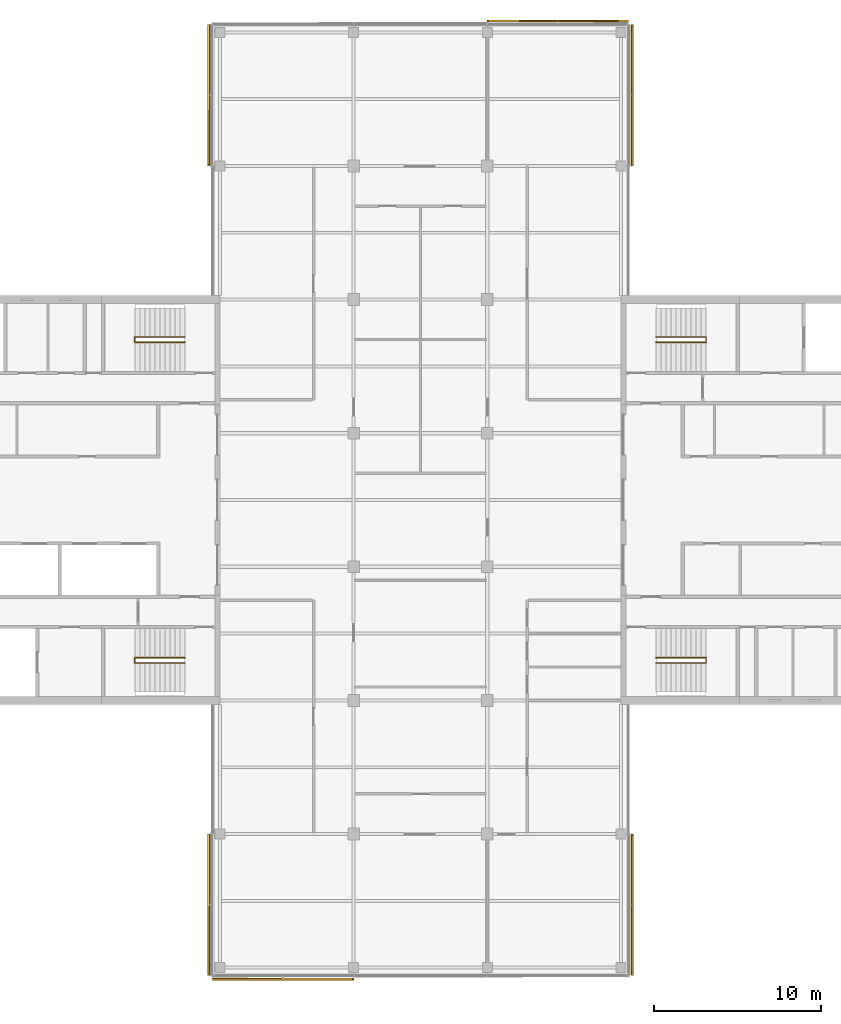
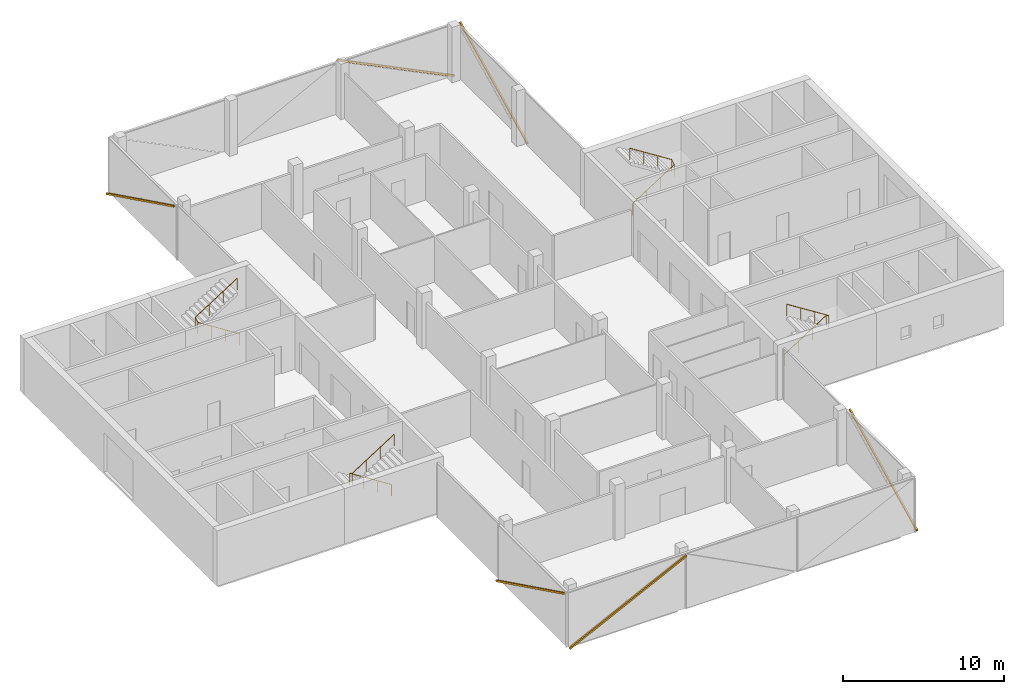
# One storey, part 15 of 15: 6 shading devices, 4 railings, 6 elements without a shape of their own.
"""IFC4 building model written with IfcOpenShell, lengths in metres."""

from ifc_helpers import new_model, si_unit, direction, frame, origin, origin_2d, place, context, subcontext, project, spatial, rectangle, circle, extrude, material, material_profile, profile_set, type_object, element, aggregate, save


model = new_model("IFC4")

# Units and contexts
model_context = context("Model", 3, precision=1e-05, world=origin(), true_north=direction((0.0, 1.0)))
body_context = subcontext(model_context, "Body", "Model", "MODEL_VIEW")
ifc_project = project(units=[si_unit("LENGTHUNIT", "METRE"), si_unit("AREAUNIT", "SQUARE_METRE"), si_unit("VOLUMEUNIT", "CUBIC_METRE"), si_unit("PLANEANGLEUNIT", "RADIAN"), si_unit("MASSUNIT", "GRAM", prefix="KILO")], contexts=[model_context])

# Site, building, storey
site_placement = place(None, origin())
site = spatial("IfcSite", under=ifc_project, at=site_placement, CompositionType="ELEMENT")
building_placement = place(site_placement, origin())
building = spatial("IfcBuilding", under=site, at=building_placement, Name="Crosswind Convention Tower", CompositionType="ELEMENT")
storey_placement = place(building_placement, frame((0.0, 0.0, 266.10009765625)))
storey = spatial("IfcBuildingStorey", under=building, at=storey_placement, Name="L57", CompositionType="ELEMENT", Elevation=266.10009765625)

# Railings
ifc_material_1 = material(Name="Stainless steel", Category="steel")
railing_type = type_object("IfcRailingType", Name="Stair handrail 900", PredefinedType="HANDRAIL", material=ifc_material_1)
railing_1_placement = place(storey_placement, frame((139.10009765625, 109.43994140625, 0.19091796875)))
element("IfcRailing", 1, at=railing_1_placement, inside=storey, type_object=railing_type, Name="Stair ST1 handrail L57", PredefinedType="HANDRAIL", context=body_context, shape_type="SweptSolid", body=[
    extrude(circle(Radius=0.02392578125, at=origin_2d()), frame((0.0, 0.0, 0.8759765625), z_axis=(0.843681277094, 0.0, 0.536844393359), x_axis=(0.0, 1.0, 0.0)), (0.0, 0.0, 1.0), 3.555908203125),
    extrude(circle(Radius=0.02392578125, at=origin_2d()), frame((3.0, 0.0, 2.78466796875), z_axis=(0.0, 0.858819504967, 0.512278301208), x_axis=(-1.0, 0.0, 0.0)), (0.0, 0.0, 1.0), 0.372802734375),
    extrude(circle(Radius=0.02392578125, at=origin_2d()), frame((3.0, 0.320068359375, 2.9755859375), z_axis=(-0.843650179428, 0.0, 0.536893261973), x_axis=(0.0, -1.0, 0.0)), (0.0, 0.0, 1.0), 3.555908203125),
    extrude(circle(Radius=0.02099609375, at=origin_2d()), origin(), (0.0, 0.0, 1.0), 0.851806640625),
    extrude(circle(Radius=0.02099609375, at=origin_2d()), frame((1.0, 0.0, 0.63623046875)), (0.0, 0.0, 1.0), 0.851806640625),
    extrude(circle(Radius=0.02099609375, at=origin_2d()), frame((2.0, 0.0, 1.272705078125)), (0.0, 0.0, 1.0), 0.851806640625),
    extrude(circle(Radius=0.02099609375, at=origin_2d()), frame((3.0, 0.0, 1.908935546875)), (0.0, 0.0, 1.0), 0.851806640625),
    extrude(circle(Radius=0.02099609375, at=origin_2d()), frame((3.0, 0.320068359375, 2.099853515625)), (0.0, 0.0, 1.0), 0.851806640625),
    extrude(circle(Radius=0.02099609375, at=origin_2d()), frame((2.0, 0.320068359375, 2.736328125)), (0.0, 0.0, 1.0), 0.851806640625),
    extrude(circle(Radius=0.02099609375, at=origin_2d()), frame((1.0, 0.320068359375, 3.37255859375)), (0.0, 0.0, 1.0), 0.851806640625),
    extrude(circle(Radius=0.02099609375, at=origin_2d()), frame((0.0, 0.320068359375, 4.009033203125)), (0.0, 0.0, 1.0), 0.851806640625),
])
railing_2_placement = place(storey_placement, frame((139.10009765625, 90.56005859375, 0.19091796875)))
element("IfcRailing", 2, at=railing_2_placement, inside=storey, type_object=railing_type, Name="Stair ST2 handrail L57", PredefinedType="HANDRAIL", context=body_context, shape_type="SweptSolid", body=[
    extrude(circle(Radius=0.02392578125, at=origin_2d()), frame((0.0, 0.0, 0.8759765625), z_axis=(0.843681277094, 0.0, 0.536844393359), x_axis=(0.0, 1.0, 0.0)), (0.0, 0.0, 1.0), 3.555908203125),
    extrude(circle(Radius=0.02392578125, at=origin_2d()), frame((3.0, 0.0, 2.78466796875), z_axis=(0.0, -0.858819504967, 0.512278301208), x_axis=(1.0, 0.0, 0.0)), (0.0, 0.0, 1.0), 0.372802734375),
    extrude(circle(Radius=0.02392578125, at=origin_2d()), frame((3.0, -0.320068359375, 2.9755859375), z_axis=(-0.843650179428, 0.0, 0.536893261973), x_axis=(0.0, -1.0, 0.0)), (0.0, 0.0, 1.0), 3.555908203125),
    extrude(circle(Radius=0.02099609375, at=origin_2d()), origin(), (0.0, 0.0, 1.0), 0.851806640625),
    extrude(circle(Radius=0.02099609375, at=origin_2d()), frame((1.0, 0.0, 0.63623046875)), (0.0, 0.0, 1.0), 0.851806640625),
    extrude(circle(Radius=0.02099609375, at=origin_2d()), frame((2.0, 0.0, 1.272705078125)), (0.0, 0.0, 1.0), 0.851806640625),
    extrude(circle(Radius=0.02099609375, at=origin_2d()), frame((3.0, 0.0, 1.908935546875)), (0.0, 0.0, 1.0), 0.851806640625),
    extrude(circle(Radius=0.02099609375, at=origin_2d()), frame((3.0, -0.320068359375, 2.099853515625)), (0.0, 0.0, 1.0), 0.851806640625),
    extrude(circle(Radius=0.02099609375, at=origin_2d()), frame((2.0, -0.320068359375, 2.736328125)), (0.0, 0.0, 1.0), 0.851806640625),
    extrude(circle(Radius=0.02099609375, at=origin_2d()), frame((1.0, -0.320068359375, 3.37255859375)), (0.0, 0.0, 1.0), 0.851806640625),
    extrude(circle(Radius=0.02099609375, at=origin_2d()), frame((0.0, -0.320068359375, 4.009033203125)), (0.0, 0.0, 1.0), 0.851806640625),
])
railing_3_placement = place(storey_placement, frame((110.89990234375, 90.56005859375, 0.19091796875)))
element("IfcRailing", 3, at=railing_3_placement, inside=storey, type_object=railing_type, Name="Stair ST3 handrail L57", PredefinedType="HANDRAIL", context=body_context, shape_type="SweptSolid", body=[
    extrude(circle(Radius=0.02392578125, at=origin_2d()), frame((0.0, 0.0, 0.8759765625), z_axis=(-0.843681277094, 0.0, 0.536844393359), x_axis=(0.0, -1.0, 0.0)), (0.0, 0.0, 1.0), 3.555908203125),
    extrude(circle(Radius=0.02392578125, at=origin_2d()), frame((-3.0, 0.0, 2.78466796875), z_axis=(0.0, -0.858819504967, 0.512278301208), x_axis=(1.0, 0.0, 0.0)), (0.0, 0.0, 1.0), 0.372802734375),
    extrude(circle(Radius=0.02392578125, at=origin_2d()), frame((-3.0, -0.320068359375, 2.9755859375), z_axis=(0.843650179428, 0.0, 0.536893261973), x_axis=(0.0, 1.0, 0.0)), (0.0, 0.0, 1.0), 3.555908203125),
    extrude(circle(Radius=0.02099609375, at=origin_2d()), origin(), (0.0, 0.0, 1.0), 0.851806640625),
    extrude(circle(Radius=0.02099609375, at=origin_2d()), frame((-1.0, 0.0, 0.63623046875)), (0.0, 0.0, 1.0), 0.851806640625),
    extrude(circle(Radius=0.02099609375, at=origin_2d()), frame((-2.0, 0.0, 1.272705078125)), (0.0, 0.0, 1.0), 0.851806640625),
    extrude(circle(Radius=0.02099609375, at=origin_2d()), frame((-3.0, 0.0, 1.908935546875)), (0.0, 0.0, 1.0), 0.851806640625),
    extrude(circle(Radius=0.02099609375, at=origin_2d()), frame((-3.0, -0.320068359375, 2.099853515625)), (0.0, 0.0, 1.0), 0.851806640625),
    extrude(circle(Radius=0.02099609375, at=origin_2d()), frame((-2.0, -0.320068359375, 2.736328125)), (0.0, 0.0, 1.0), 0.851806640625),
    extrude(circle(Radius=0.02099609375, at=origin_2d()), frame((-1.0, -0.320068359375, 3.37255859375)), (0.0, 0.0, 1.0), 0.851806640625),
    extrude(circle(Radius=0.02099609375, at=origin_2d()), frame((0.0, -0.320068359375, 4.009033203125)), (0.0, 0.0, 1.0), 0.851806640625),
])
railing_4_placement = place(storey_placement, frame((110.89990234375, 109.43994140625, 0.19091796875)))
element("IfcRailing", 4, at=railing_4_placement, inside=storey, type_object=railing_type, Name="Stair ST4 handrail L57", PredefinedType="HANDRAIL", context=body_context, shape_type="SweptSolid", body=[
    extrude(circle(Radius=0.02392578125, at=origin_2d()), frame((0.0, 0.0, 0.8759765625), z_axis=(-0.843681277094, 0.0, 0.536844393359), x_axis=(0.0, -1.0, 0.0)), (0.0, 0.0, 1.0), 3.555908203125),
    extrude(circle(Radius=0.02392578125, at=origin_2d()), frame((-3.0, 0.0, 2.78466796875), z_axis=(0.0, 0.858819504967, 0.512278301208), x_axis=(-1.0, 0.0, 0.0)), (0.0, 0.0, 1.0), 0.372802734375),
    extrude(circle(Radius=0.02392578125, at=origin_2d()), frame((-3.0, 0.320068359375, 2.9755859375), z_axis=(0.843650179428, 0.0, 0.536893261973), x_axis=(0.0, 1.0, 0.0)), (0.0, 0.0, 1.0), 3.555908203125),
    extrude(circle(Radius=0.02099609375, at=origin_2d()), origin(), (0.0, 0.0, 1.0), 0.851806640625),
    extrude(circle(Radius=0.02099609375, at=origin_2d()), frame((-1.0, 0.0, 0.63623046875)), (0.0, 0.0, 1.0), 0.851806640625),
    extrude(circle(Radius=0.02099609375, at=origin_2d()), frame((-2.0, 0.0, 1.272705078125)), (0.0, 0.0, 1.0), 0.851806640625),
    extrude(circle(Radius=0.02099609375, at=origin_2d()), frame((-3.0, 0.0, 1.908935546875)), (0.0, 0.0, 1.0), 0.851806640625),
    extrude(circle(Radius=0.02099609375, at=origin_2d()), frame((-3.0, 0.320068359375, 2.099853515625)), (0.0, 0.0, 1.0), 0.851806640625),
    extrude(circle(Radius=0.02099609375, at=origin_2d()), frame((-2.0, 0.320068359375, 2.736328125)), (0.0, 0.0, 1.0), 0.851806640625),
    extrude(circle(Radius=0.02099609375, at=origin_2d()), frame((-1.0, 0.320068359375, 3.37255859375)), (0.0, 0.0, 1.0), 0.851806640625),
    extrude(circle(Radius=0.02099609375, at=origin_2d()), frame((0.0, 0.320068359375, 4.009033203125)), (0.0, 0.0, 1.0), 0.851806640625),
])

# Curtain wall, shading device
ifc_material_2 = material(Name="Aluminium unitised curtain wall", Category="aluminium")
curtain_wall_type = type_object("IfcCurtainWallType", Name="OFFICE UNITISED WALL 220", PredefinedType="USERDEFINED", material=ifc_material_2)
curtain_wall_1_placement = place(storey_placement, origin())
curtain_wall_1 = element("IfcCurtainWall", 5, at=curtain_wall_1_placement, inside=storey, type_object=curtain_wall_type, Name="CW3 L57 N-E 1", ObjectType="UNITISED", PredefinedType="USERDEFINED")
ifc_material_3 = material(Name="Extruded terracotta", Category="masonry")
ifc_material_profile = material_profile(ifc_material_3, rectangle(XDim=0.110107421875, YDim=0.1298828125, at=origin_2d()), Name="TC 110X130")
ifc_profile_set = profile_set([ifc_material_profile], Name="Extruded terracotta")
shading_device_type = type_object("IfcShadingDeviceType", Name="TERRACOTTA BAGUETTE 130X110", PredefinedType="USERDEFINED", material=ifc_profile_set)
shading_device_1_placement = place(storey_placement, frame((137.680908203125, 120.034912109375, -0.300048828125), z_axis=(0.0, 0.897198049762, 0.441628417907), x_axis=(-1.0, 0.0, 0.0)))
shading_device_1 = element("IfcShadingDevice", 6, at=shading_device_1_placement, type_object=shading_device_type, Name="CW3 terracotta baguette 1", ObjectType="BAGUETTE", PredefinedType="USERDEFINED", context=body_context, shape_type="SweptSolid", body=[
    extrude(rectangle(XDim=0.110107421875, YDim=0.1298828125, at=origin_2d()), origin(), (0.0, 0.0, 1.0), 9.3515625),
])
aggregate(curtain_wall_1, [shading_device_1])

curtain_wall_2_placement = place(storey_placement, origin())
curtain_wall_2 = element("IfcCurtainWall", 7, at=curtain_wall_2_placement, inside=storey, type_object=curtain_wall_type, Name="CW3 L57 N-TIP 1", ObjectType="UNITISED", PredefinedType="USERDEFINED")
shading_device_2_placement = place(storey_placement, frame((137.425048828125, 128.680908203125, -0.300048828125), z_axis=(-0.897198049762, 0.0, 0.441628417907), x_axis=(0.0, -1.0, 0.0)))
shading_device_2 = element("IfcShadingDevice", 8, at=shading_device_2_placement, type_object=shading_device_type, Name="CW3 terracotta baguette 1", ObjectType="BAGUETTE", PredefinedType="USERDEFINED", context=body_context, shape_type="SweptSolid", body=[
    extrude(rectangle(XDim=0.110107421875, YDim=0.1298828125, at=origin_2d()), origin(), (0.0, 0.0, 1.0), 9.3515625),
])
aggregate(curtain_wall_2, [shading_device_2])

curtain_wall_3_placement = place(storey_placement, origin())
curtain_wall_3 = element("IfcCurtainWall", 9, at=curtain_wall_3_placement, inside=storey, type_object=curtain_wall_type, Name="CW3 L57 N-W 1", ObjectType="UNITISED", PredefinedType="USERDEFINED")
shading_device_3_placement = place(storey_placement, frame((112.319091796875, 128.425048828125, -0.300048828125), z_axis=(0.0, -0.897198049762, 0.441628417907), x_axis=(1.0, 0.0, 0.0)))
shading_device_3 = element("IfcShadingDevice", 10, at=shading_device_3_placement, type_object=shading_device_type, Name="CW3 terracotta baguette 1", ObjectType="BAGUETTE", PredefinedType="USERDEFINED", context=body_context, shape_type="SweptSolid", body=[
    extrude(rectangle(XDim=0.110107421875, YDim=0.1298828125, at=origin_2d()), origin(), (0.0, 0.0, 1.0), 9.3515625),
])
aggregate(curtain_wall_3, [shading_device_3])

curtain_wall_4_placement = place(storey_placement, origin())
curtain_wall_4 = element("IfcCurtainWall", 11, at=curtain_wall_4_placement, inside=storey, type_object=curtain_wall_type, Name="CW3 L57 S-W 1", ObjectType="UNITISED", PredefinedType="USERDEFINED")
shading_device_4_placement = place(storey_placement, frame((112.319091796875, 79.965087890625, -0.300048828125), z_axis=(0.0, -0.897198049762, 0.441628417907), x_axis=(1.0, 0.0, 0.0)))
shading_device_4 = element("IfcShadingDevice", 12, at=shading_device_4_placement, type_object=shading_device_type, Name="CW3 terracotta baguette 1", ObjectType="BAGUETTE", PredefinedType="USERDEFINED", context=body_context, shape_type="SweptSolid", body=[
    extrude(rectangle(XDim=0.110107421875, YDim=0.1298828125, at=origin_2d()), origin(), (0.0, 0.0, 1.0), 9.3515625),
])
aggregate(curtain_wall_4, [shading_device_4])

curtain_wall_5_placement = place(storey_placement, origin())
curtain_wall_5 = element("IfcCurtainWall", 13, at=curtain_wall_5_placement, inside=storey, type_object=curtain_wall_type, Name="CW3 L57 S-TIP 1", ObjectType="UNITISED", PredefinedType="USERDEFINED")
shading_device_5_placement = place(storey_placement, frame((112.574951171875, 71.319091796875, -0.300048828125), z_axis=(0.897198049762, 0.0, 0.441628417907), x_axis=(0.0, 1.0, 0.0)))
shading_device_5 = element("IfcShadingDevice", 14, at=shading_device_5_placement, type_object=shading_device_type, Name="CW3 terracotta baguette 1", ObjectType="BAGUETTE", PredefinedType="USERDEFINED", context=body_context, shape_type="SweptSolid", body=[
    extrude(rectangle(XDim=0.110107421875, YDim=0.1298828125, at=origin_2d()), origin(), (0.0, 0.0, 1.0), 9.3515625),
])
aggregate(curtain_wall_5, [shading_device_5])

curtain_wall_6_placement = place(storey_placement, origin())
curtain_wall_6 = element("IfcCurtainWall", 15, at=curtain_wall_6_placement, inside=storey, type_object=curtain_wall_type, Name="CW3 L57 S-E 1", ObjectType="UNITISED", PredefinedType="USERDEFINED")
shading_device_6_placement = place(storey_placement, frame((137.680908203125, 71.574951171875, -0.300048828125), z_axis=(0.0, 0.897198049762, 0.441628417907), x_axis=(-1.0, 0.0, 0.0)))
shading_device_6 = element("IfcShadingDevice", 16, at=shading_device_6_placement, type_object=shading_device_type, Name="CW3 terracotta baguette 1", ObjectType="BAGUETTE", PredefinedType="USERDEFINED", context=body_context, shape_type="SweptSolid", body=[
    extrude(rectangle(XDim=0.110107421875, YDim=0.1298828125, at=origin_2d()), origin(), (0.0, 0.0, 1.0), 9.3515625),
])
aggregate(curtain_wall_6, [shading_device_6])

save(model, "model.ifc")
